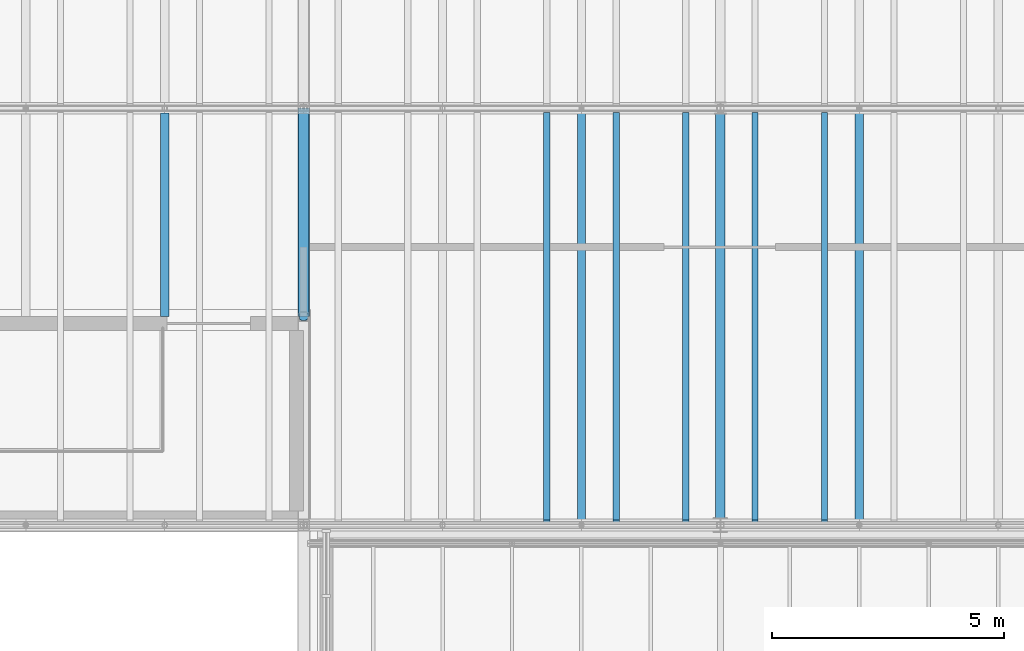
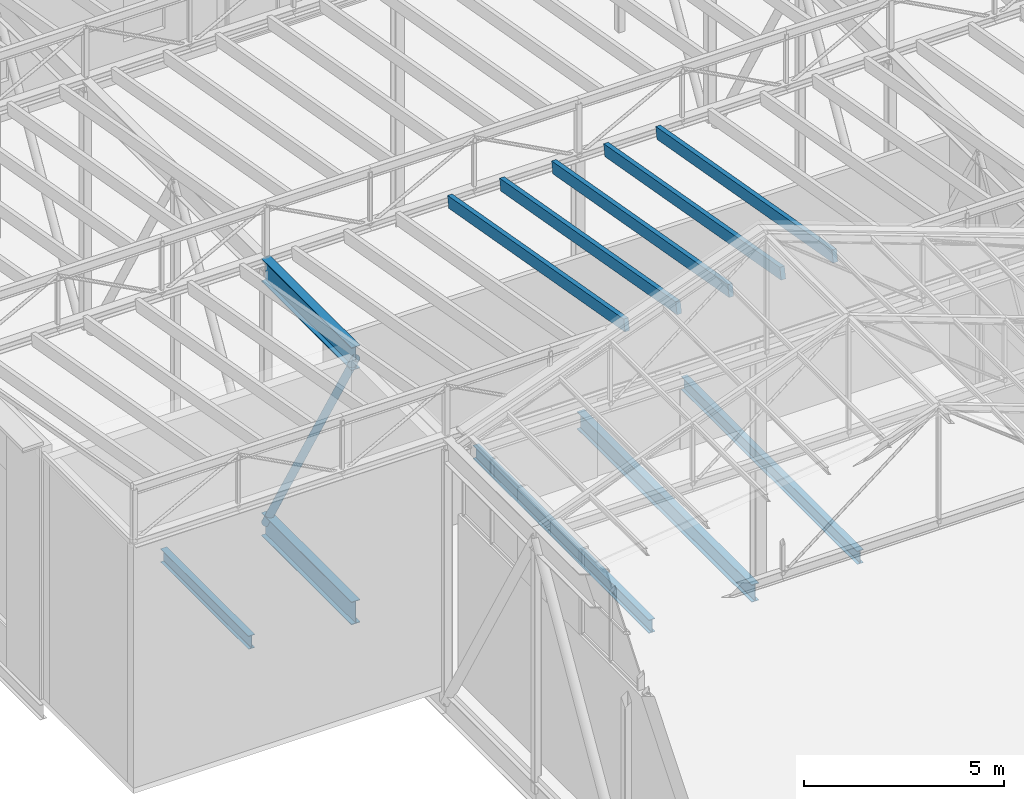
# One storey, part 27 of 90: 8 members, 4 beams.
"""IFC4 building model written with IfcOpenShell, lengths in metres."""

from ifc_helpers import new_model, si_unit, direction, frame, origin, origin_2d, place, context, subcontext, project, spatial, rectangle, hollow_circle, i_section, extrude, material, material_profile, profile_set, type_object, element, save


model = new_model("IFC4")

# Units and contexts
model_context = context("Model", 3, precision=1e-05, world=origin(), true_north=direction((0.0, 1.0)))
body_context = subcontext(model_context, "Body", "Model", "MODEL_VIEW")
ifc_project = project(units=[si_unit("LENGTHUNIT", "METRE"), si_unit("AREAUNIT", "SQUARE_METRE"), si_unit("VOLUMEUNIT", "CUBIC_METRE"), si_unit("PLANEANGLEUNIT", "RADIAN"), si_unit("MASSUNIT", "GRAM", prefix="KILO")], contexts=[model_context])

# Site, building, storey
site_placement = place(None, origin())
site = spatial("IfcSite", under=ifc_project, at=site_placement, CompositionType="ELEMENT")
building_placement = place(site_placement, origin())
building = spatial("IfcBuilding", under=site, at=building_placement, Name="Halyard Row Museum", CompositionType="ELEMENT")
storey_placement = place(building_placement, frame((0.0, 0.0, 13.39990234375)))
storey = spatial("IfcBuildingStorey", under=building, at=storey_placement, Name="L03", CompositionType="ELEMENT", Elevation=13.39990234375)

# Beam
ifc_material_1 = material(Name="Steel Grade 300", Category="steel")
ifc_material_profile_1 = material_profile(ifc_material_1, i_section(OverallWidth=0.208984375, OverallDepth=0.532958984375, WebThickness=0.01025390625, FlangeThickness=0.015625, FilletRadius=0.013916015625, at=origin_2d()), Name="530UB92.4")
ifc_profile_set_1 = profile_set([ifc_material_profile_1], Name="Steel Grade 300")
beam_type_1 = type_object("IfcBeamType", Name="Girder beam 530UB92.4", PredefinedType="BEAM", material=ifc_profile_set_1)
beam_1_placement = place(storey_placement, frame((45.0, 18.14990234375, -0.431396484375), z_axis=(0.0, 1.0, 0.0), x_axis=(-1.0, 0.0, 0.0)))
element("IfcBeam", 1, at=beam_1_placement, inside=storey, type_object=beam_type_1, Name="Beam L03-046", PredefinedType="BEAM", context=body_context, shape_type="SweptSolid", body=[
    extrude(i_section(OverallWidth=0.208984375, OverallDepth=0.532958984375, WebThickness=0.01025390625, FlangeThickness=0.015625, FilletRadius=0.013916015625, at=origin_2d()), origin(), (0.0, 0.0, 1.0), 8.72314453125),
])

# Members
ifc_material_2 = material(Name="Glulam GL12 radiata pine", Category="wood")
ifc_material_profile_2 = material_profile(ifc_material_2, rectangle(XDim=0.135009765625, YDim=0.360107421875, at=origin_2d()), Name="GL12 135x360")
ifc_profile_set_2 = profile_set([ifc_material_profile_2], Name="Glulam GL12 radiata pine")
member_type_1 = type_object("IfcMemberType", Name="Rafter GL12 135x360", PredefinedType="RAFTER", material=ifc_profile_set_2)
for number, where, z_axis, x_axis, name in (
    (2, (41.25, 18.074462890625, 9.083984375), (0.0, 0.984562193919, -0.175035100209), (-1.0, 0.0, 0.0), "Rafter V1-T1a.10"),
    (3, (42.75, 18.074462890625, 9.083984375), (0.0, 0.984562193919, -0.175035100209), (-1.0, 0.0, 0.0), "Rafter V1-T1a.11"),
    (4, (44.25, 18.074462890625, 9.083984375), (0.0, 0.984562193919, -0.175035100209), (-1.0, 0.0, 0.0), "Rafter V1-T1a.12"),
    (5, (45.75, 18.074462890625, 9.083984375), (0.0, 0.984562193919, -0.175035100209), (-1.0, 0.0, 0.0), "Rafter V1-T1a.13"),
    (6, (47.25, 18.074462890625, 9.083984375), (0.0, 0.984562193919, -0.175035100209), (-1.0, 0.0, 0.0), "Rafter V1-T1a.14"),
):
    element("IfcMember", number, at=place(storey_placement, frame(where, z_axis=z_axis, x_axis=x_axis)), inside=storey, type_object=member_type_1, Name=name, PredefinedType="RAFTER", context=body_context, shape_type="SweptSolid", body=[
        extrude(rectangle(XDim=0.135009765625, YDim=0.360107421875, at=origin_2d()), origin(), (0.0, 0.0, 1.0), 8.9365234375),
    ])

# Beams
ifc_material_3 = material(Name="Steel Grade 300", Category="steel")
ifc_material_profile_3 = material_profile(ifc_material_3, i_section(OverallWidth=0.177978515625, OverallDepth=0.406494140625, WebThickness=0.0078125, FlangeThickness=0.0126953125, FilletRadius=0.011474609375, at=origin_2d()), Name="410UB59.7")
ifc_profile_set_3 = profile_set([ifc_material_profile_3], Name="Steel Grade 300")
beam_type_2 = type_object("IfcBeamType", Name="Secondary beam 410UB59.7", PredefinedType="BEAM", material=ifc_profile_set_3)
for number, where, z_axis, x_axis, name in (
    (7, (42.0, 18.1044921875, -0.3681640625), (0.0, 1.0, 0.0), (-1.0, 0.0, 0.0), "Beam L03-088"),
    (8, (48.0, 18.1044921875, -0.3681640625), (0.0, 1.0, 0.0), (-1.0, 0.0, 0.0), "Beam L03-089"),
):
    element("IfcBeam", number, at=place(storey_placement, frame(where, z_axis=z_axis, x_axis=x_axis)), inside=storey, type_object=beam_type_2, Name=name, PredefinedType="BEAM", context=body_context, shape_type="SweptSolid", body=[
        extrude(i_section(OverallWidth=0.177978515625, OverallDepth=0.406494140625, WebThickness=0.0078125, FlangeThickness=0.0126953125, FilletRadius=0.011474609375, at=origin_2d()), origin(), (0.0, 0.0, 1.0), 8.791015625),
    ])
beam_2_placement = place(storey_placement, frame((33.0, 22.5, -0.3681640625), z_axis=(0.0, 1.0, 0.0), x_axis=(-1.0, 0.0, 0.0)))
element("IfcBeam", 9, at=beam_2_placement, inside=storey, type_object=beam_type_2, Name="Beam L03-096", PredefinedType="BEAM", context=body_context, shape_type="SweptSolid", body=[
    extrude(i_section(OverallWidth=0.177978515625, OverallDepth=0.406494140625, WebThickness=0.0078125, FlangeThickness=0.0126953125, FilletRadius=0.011474609375, at=origin_2d()), origin(), (0.0, 0.0, 1.0), 4.3955078125),
])

# Members
ifc_material_4 = material(Name="Steel Grade 300", Category="steel")
ifc_material_profile_4 = material_profile(ifc_material_4, i_section(OverallWidth=0.25, OverallDepth=0.699951171875, WebThickness=0.010009765625, FlangeThickness=0.02001953125, at=origin_2d()), Name="700WB130")
ifc_profile_set_4 = profile_set([ifc_material_profile_4], Name="Steel Grade 300")
member_type_2 = type_object("IfcMemberType", Name="Transfer truss chord 700WB130 bottom", PredefinedType="CHORD", material=ifc_profile_set_4)
member_1_placement = place(storey_placement, frame((36.0, 22.5, -0.514892578125), z_axis=(0.0, 1.0, 0.0), x_axis=(-1.0, 0.0, 0.0)))
element("IfcMember", 10, at=member_1_placement, inside=storey, type_object=member_type_2, Name="TT1 bottom chord 6", PredefinedType="CHORD", context=body_context, shape_type="SweptSolid", body=[
    extrude(i_section(OverallWidth=0.25, OverallDepth=0.699951171875, WebThickness=0.010009765625, FlangeThickness=0.02001953125, at=origin_2d()), origin(), (0.0, 0.0, 1.0), 4.5),
])
ifc_material_5 = material(Name="Steel Grade 300", Category="steel")
ifc_material_profile_5 = material_profile(ifc_material_5, i_section(OverallWidth=0.25, OverallDepth=0.699951171875, WebThickness=0.010009765625, FlangeThickness=0.02001953125, at=origin_2d()), Name="700WB130")
ifc_profile_set_5 = profile_set([ifc_material_profile_5], Name="Steel Grade 300")
member_type_3 = type_object("IfcMemberType", Name="Transfer truss chord 700WB130 top", PredefinedType="CHORD", material=ifc_profile_set_5)
member_2_placement = place(storey_placement, frame((36.0, 22.5, 7.22998046875), z_axis=(0.0, 1.0, 0.0), x_axis=(-1.0, 0.0, 0.0)))
element("IfcMember", 11, at=member_2_placement, inside=storey, type_object=member_type_3, Name="TT1 top chord 6", PredefinedType="CHORD", context=body_context, shape_type="SweptSolid", body=[
    extrude(i_section(OverallWidth=0.25, OverallDepth=0.699951171875, WebThickness=0.010009765625, FlangeThickness=0.02001953125, at=origin_2d()), origin(), (0.0, 0.0, 1.0), 4.5),
])
ifc_material_6 = material(Name="Steel Grade C350L0", Category="steel")
ifc_material_profile_6 = material_profile(ifc_material_6, hollow_circle(Radius=0.109619140625, WallThickness=0.00830078125, at=origin_2d()), Name="219.1x8.2CHS")
ifc_profile_set_6 = profile_set([ifc_material_profile_6], Name="Steel Grade C350L0")
member_type_4 = type_object("IfcMemberType", Name="Transfer truss diagonal 219.1x8.2CHS", PredefinedType="BRACE", material=ifc_profile_set_6)
member_3_placement = place(storey_placement, frame((36.0, 22.5, 7.22998046875), z_axis=(0.0, 0.502384046634, -0.864644591545), x_axis=(-1.0, 0.0, 0.0)))
element("IfcMember", 12, at=member_3_placement, inside=storey, type_object=member_type_4, Name="TT1 diagonal 6", PredefinedType="BRACE", context=body_context, shape_type="SweptSolid", body=[
    extrude(hollow_circle(Radius=0.109619140625, WallThickness=0.00830078125, at=origin_2d()), origin(), (0.0, 0.0, 1.0), 8.957275390625),
])

save(model, "model.ifc")
